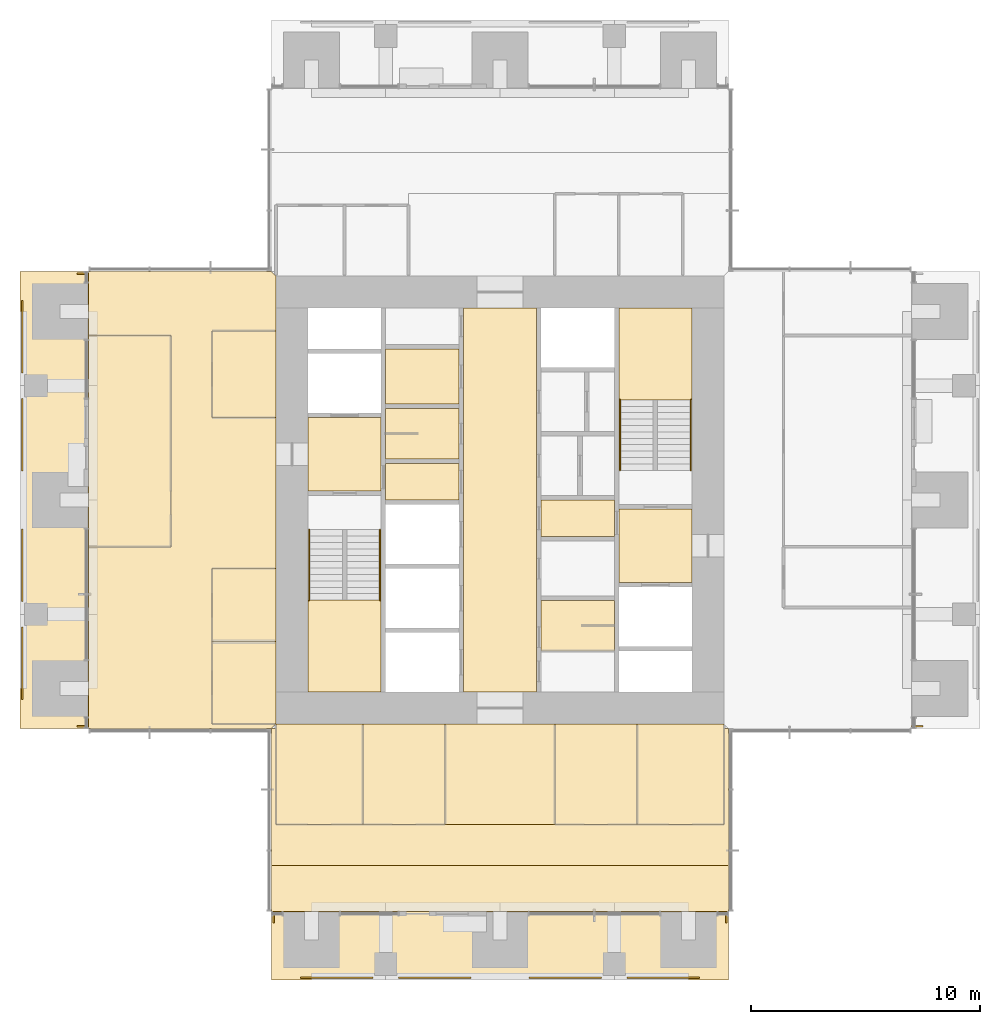
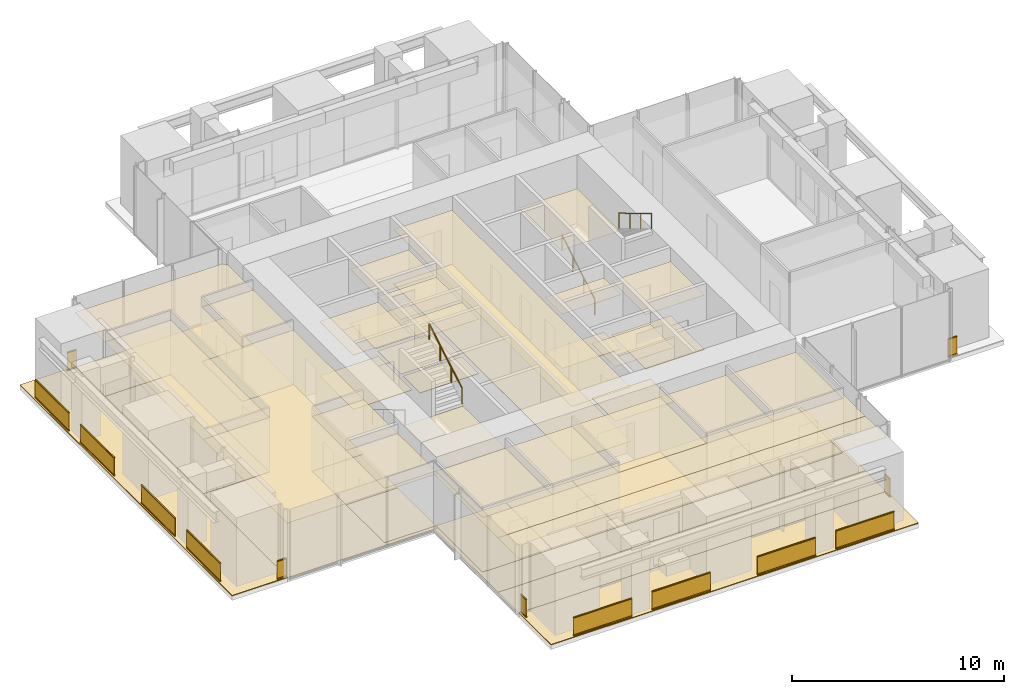
# One storey, part 15 of 17: 44 coverings, 17 railings.
"""IFC4 building model written with IfcOpenShell, lengths in metres."""

from ifc_helpers import new_model, si_unit, direction, frame, origin, origin_2d, place, context, subcontext, project, spatial, polyline, rectangle, circle, outline, extrude, material, layer, layer_set, type_object, element, save


model = new_model("IFC4")

# Units and contexts
model_context = context("Model", 3, precision=1e-05, world=origin(), true_north=direction((0.0, 1.0)))
body_context = subcontext(model_context, "Body", "Model", "MODEL_VIEW")
ifc_project = project(units=[si_unit("LENGTHUNIT", "METRE"), si_unit("AREAUNIT", "SQUARE_METRE"), si_unit("VOLUMEUNIT", "CUBIC_METRE"), si_unit("PLANEANGLEUNIT", "RADIAN"), si_unit("MASSUNIT", "GRAM", prefix="KILO")], contexts=[model_context])

# Site, building, storey
site_placement = place(None, origin())
site = spatial("IfcSite", under=ifc_project, at=site_placement, CompositionType="ELEMENT")
building_placement = place(site_placement, origin())
building = spatial("IfcBuilding", under=site, at=building_placement, Name="Svetlomir Tower", CompositionType="ELEMENT")
storey_placement = place(building_placement, frame((0.0, 0.0, 198.5)))
storey = spatial("IfcBuildingStorey", under=building, at=storey_placement, Name="L47", CompositionType="ELEMENT", Elevation=198.5)

# Railings
ifc_material_1 = material(Name="Bronze anodised aluminium and laminated glass", Category="aluminium")
railing_type_1 = type_object("IfcRailingType", Name="BALCONY GUARD GR1 1100", PredefinedType="GUARDRAIL", material=ifc_material_1)
for number, where, name in (
    (1, (12.27490234375, 0.10009765625, 0.0), "Loggia guard S L47 bay 1"),
    (2, (16.550048828125, 0.10009765625, 0.0), "Loggia guard S L47 bay 2"),
    (3, (22.27490234375, 0.10009765625, 0.0), "Loggia guard S L47 bay 3"),
    (4, (26.550048828125, 0.10009765625, 0.0), "Loggia guard S L47 bay 4"),
):
    element("IfcRailing", number, at=place(storey_placement, frame(where)), inside=storey, type_object=railing_type_1, Name=name, PredefinedType="GUARDRAIL", context=body_context, shape_type="SweptSolid", body=[
        extrude(rectangle(XDim=0.06005859375, YDim=0.10009765625, at=origin_2d()), frame((0.0, 0.0, 0.050048828125), z_axis=(1.0, 0.0, 0.0), x_axis=(0.0, 1.0, 0.0)), (0.0, 0.0, 1.0), 3.175048828125),
        extrude(rectangle(XDim=0.021484375, YDim=0.960205078125, at=origin_2d()), frame((0.0, 0.0, 0.580078125), z_axis=(1.0, 0.0, 0.0), x_axis=(0.0, 1.0, 0.0)), (0.0, 0.0, 1.0), 3.175048828125),
        extrude(rectangle(XDim=0.06005859375, YDim=0.0400390625, at=origin_2d()), frame((0.0, 0.0, 1.080078125), z_axis=(1.0, 0.0, 0.0), x_axis=(0.0, 1.0, 0.0)), (0.0, 0.0, 1.0), 3.175048828125),
    ])
for number, where, name in (
    (5, (11.10009765625, 2.5, 0.0), "Loggia guard S L47 end 1"),
    (6, (30.89990234375, 2.5, 0.0), "Loggia guard S L47 end 2"),
):
    element("IfcRailing", number, at=place(storey_placement, frame(where)), inside=storey, type_object=railing_type_1, Name=name, PredefinedType="GUARDRAIL", context=body_context, shape_type="SweptSolid", body=[
        extrude(rectangle(XDim=0.06005859375, YDim=0.10009765625, at=origin_2d()), frame((0.0, 0.0, 0.050048828125), z_axis=(0.0, 1.0, 0.0), x_axis=(-1.0, 0.0, 0.0)), (0.0, 0.0, 1.0), 0.5),
        extrude(rectangle(XDim=0.021484375, YDim=0.960205078125, at=origin_2d()), frame((0.0, 0.0, 0.580078125), z_axis=(0.0, 1.0, 0.0), x_axis=(-1.0, 0.0, 0.0)), (0.0, 0.0, 1.0), 0.5),
        extrude(rectangle(XDim=0.06005859375, YDim=0.0400390625, at=origin_2d()), frame((0.0, 0.0, 1.080078125), z_axis=(0.0, 1.0, 0.0), x_axis=(-1.0, 0.0, 0.0)), (0.0, 0.0, 1.0), 0.5),
    ])
railing_1_placement = place(storey_placement, frame((39.5, 11.10009765625, 0.0)))
element("IfcRailing", 7, at=railing_1_placement, inside=storey, type_object=railing_type_1, Name="Loggia guard E L47 end 1", PredefinedType="GUARDRAIL", context=body_context, shape_type="SweptSolid", body=[
    extrude(rectangle(XDim=0.06005859375, YDim=0.10009765625, at=origin_2d()), frame((0.0, 0.0, 0.050048828125), z_axis=(-1.0, 0.0, 0.0), x_axis=(0.0, -1.0, 0.0)), (0.0, 0.0, 1.0), 0.5),
    extrude(rectangle(XDim=0.021484375, YDim=0.960205078125, at=origin_2d()), frame((0.0, 0.0, 0.580078125), z_axis=(-1.0, 0.0, 0.0), x_axis=(0.0, -1.0, 0.0)), (0.0, 0.0, 1.0), 0.5),
    extrude(rectangle(XDim=0.06005859375, YDim=0.0400390625, at=origin_2d()), frame((0.0, 0.0, 1.080078125), z_axis=(-1.0, 0.0, 0.0), x_axis=(0.0, -1.0, 0.0)), (0.0, 0.0, 1.0), 0.5),
])
for number, where, name in (
    (8, (0.10009765625, 12.27490234375, 0.0), "Loggia guard W L47 bay 1"),
    (9, (0.10009765625, 16.550048828125, 0.0), "Loggia guard W L47 bay 2"),
    (10, (0.10009765625, 22.27490234375, 0.0), "Loggia guard W L47 bay 3"),
    (11, (0.10009765625, 26.550048828125, 0.0), "Loggia guard W L47 bay 4"),
):
    element("IfcRailing", number, at=place(storey_placement, frame(where)), inside=storey, type_object=railing_type_1, Name=name, PredefinedType="GUARDRAIL", context=body_context, shape_type="SweptSolid", body=[
        extrude(rectangle(XDim=0.06005859375, YDim=0.10009765625, at=origin_2d()), frame((0.0, 0.0, 0.050048828125), z_axis=(0.0, 1.0, 0.0), x_axis=(-1.0, 0.0, 0.0)), (0.0, 0.0, 1.0), 3.175048828125),
        extrude(rectangle(XDim=0.021484375, YDim=0.960205078125, at=origin_2d()), frame((0.0, 0.0, 0.580078125), z_axis=(0.0, 1.0, 0.0), x_axis=(-1.0, 0.0, 0.0)), (0.0, 0.0, 1.0), 3.175048828125),
        extrude(rectangle(XDim=0.06005859375, YDim=0.0400390625, at=origin_2d()), frame((0.0, 0.0, 1.080078125), z_axis=(0.0, 1.0, 0.0), x_axis=(-1.0, 0.0, 0.0)), (0.0, 0.0, 1.0), 3.175048828125),
    ])
for number, where, name in (
    (12, (2.5, 11.10009765625, 0.0), "Loggia guard W L47 end 1"),
    (13, (2.5, 30.89990234375, 0.0), "Loggia guard W L47 end 2"),
):
    element("IfcRailing", number, at=place(storey_placement, frame(where)), inside=storey, type_object=railing_type_1, Name=name, PredefinedType="GUARDRAIL", context=body_context, shape_type="SweptSolid", body=[
        extrude(rectangle(XDim=0.06005859375, YDim=0.10009765625, at=origin_2d()), frame((0.0, 0.0, 0.050048828125), z_axis=(1.0, 0.0, 0.0), x_axis=(0.0, 1.0, 0.0)), (0.0, 0.0, 1.0), 0.5),
        extrude(rectangle(XDim=0.021484375, YDim=0.960205078125, at=origin_2d()), frame((0.0, 0.0, 0.580078125), z_axis=(1.0, 0.0, 0.0), x_axis=(0.0, 1.0, 0.0)), (0.0, 0.0, 1.0), 0.5),
        extrude(rectangle(XDim=0.06005859375, YDim=0.0400390625, at=origin_2d()), frame((0.0, 0.0, 1.080078125), z_axis=(1.0, 0.0, 0.0), x_axis=(0.0, 1.0, 0.0)), (0.0, 0.0, 1.0), 0.5),
    ])

# Coverings
ifc_material_2 = material(Name="Granite paving slabs on pedestals", Category="masonry")
ifc_layer_1 = layer(ifc_material_2, 0.0400390625)
ifc_layer_set_1 = layer_set([ifc_layer_1], Name="Granite paving slabs on pedestals")
covering_type_1 = type_object("IfcCoveringType", Name="BALCONY PAVING 40", PredefinedType="USERDEFINED", material=ifc_layer_set_1)
covering_1_placement = place(storey_placement, origin())
element("IfcCovering", 14, at=covering_1_placement, inside=storey, type_object=covering_type_1, Name="Loggia paving S L47", ObjectType="BALCONY PAVING", PredefinedType="USERDEFINED", context=body_context, shape_type="SweptSolid", body=[
    extrude(outline(polyline([(11.0, 0.0), (31.0, 0.0), (31.0, 3.0), (11.0, 3.0), (11.0, 0.0)])), origin(), (0.0, 0.0, 1.0), 0.0400390625),
])
covering_2_placement = place(storey_placement, origin())
element("IfcCovering", 15, at=covering_2_placement, inside=storey, type_object=covering_type_1, Name="Loggia paving W L47", ObjectType="BALCONY PAVING", PredefinedType="USERDEFINED", context=body_context, shape_type="SweptSolid", body=[
    extrude(outline(polyline([(0.0, 11.0), (3.0, 11.0), (3.0, 31.0), (0.0, 31.0), (0.0, 11.0)])), origin(), (0.0, 0.0, 1.0), 0.0400390625),
])
ifc_material_3 = material(Name="Carpet tile", Category="textile")
ifc_layer_2 = layer(ifc_material_3, 0.010009765625)
ifc_layer_set_2 = layer_set([ifc_layer_2], Name="Carpet tile")
covering_type_2 = type_object("IfcCoveringType", Name="CARPET TILE FLOOR 10", PredefinedType="FLOORING", material=ifc_layer_set_2)
covering_3_placement = place(storey_placement, origin())
element("IfcCovering", 16, at=covering_3_placement, inside=storey, type_object=covering_type_2, Name="Floor finish L47-18", PredefinedType="FLOORING", context=body_context, shape_type="SweptSolid", body=[
    extrude(outline(polyline([(11.199951171875, 6.800048828125), (15.0, 6.800048828125), (15.0, 11.199951171875), (11.199951171875, 11.199951171875), (11.199951171875, 6.800048828125)])), origin(), (0.0, 0.0, 1.0), 0.010009765625),
])
covering_4_placement = place(storey_placement, origin())
element("IfcCovering", 17, at=covering_4_placement, inside=storey, type_object=covering_type_2, Name="Floor finish L47-19", PredefinedType="FLOORING", context=body_context, shape_type="SweptSolid", body=[
    extrude(outline(polyline([(15.0, 6.800048828125), (18.60009765625, 6.800048828125), (18.60009765625, 11.199951171875), (15.0, 11.199951171875), (15.0, 6.800048828125)])), origin(), (0.0, 0.0, 1.0), 0.010009765625),
])
covering_5_placement = place(storey_placement, origin())
element("IfcCovering", 18, at=covering_5_placement, inside=storey, type_object=covering_type_2, Name="Floor finish L47-20", PredefinedType="FLOORING", context=body_context, shape_type="SweptSolid", body=[
    extrude(outline(polyline([(23.39990234375, 6.800048828125), (27.0, 6.800048828125), (27.0, 11.199951171875), (23.39990234375, 11.199951171875), (23.39990234375, 6.800048828125)])), origin(), (0.0, 0.0, 1.0), 0.010009765625),
])
covering_6_placement = place(storey_placement, origin())
element("IfcCovering", 19, at=covering_6_placement, inside=storey, type_object=covering_type_2, Name="Floor finish L47-21", PredefinedType="FLOORING", context=body_context, shape_type="SweptSolid", body=[
    extrude(outline(polyline([(27.0, 6.800048828125), (30.800048828125, 6.800048828125), (30.800048828125, 11.199951171875), (27.0, 11.199951171875), (27.0, 6.800048828125)])), origin(), (0.0, 0.0, 1.0), 0.010009765625),
])
covering_7_placement = place(storey_placement, origin())
element("IfcCovering", 20, at=covering_7_placement, inside=storey, type_object=covering_type_2, Name="Floor finish L47-29", PredefinedType="FLOORING", context=body_context, shape_type="SweptSolid", body=[
    extrude(outline(polyline([(8.39990234375, 11.199951171875), (11.199951171875, 11.199951171875), (11.199951171875, 14.800048828125), (8.39990234375, 14.800048828125), (8.39990234375, 11.199951171875)])), origin(), (0.0, 0.0, 1.0), 0.010009765625),
])
covering_8_placement = place(storey_placement, origin())
element("IfcCovering", 21, at=covering_8_placement, inside=storey, type_object=covering_type_2, Name="Floor finish L47-30", PredefinedType="FLOORING", context=body_context, shape_type="SweptSolid", body=[
    extrude(outline(polyline([(8.39990234375, 14.800048828125), (11.199951171875, 14.800048828125), (11.199951171875, 18.0), (8.39990234375, 18.0), (8.39990234375, 14.800048828125)])), origin(), (0.0, 0.0, 1.0), 0.010009765625),
])
covering_9_placement = place(storey_placement, origin())
element("IfcCovering", 22, at=covering_9_placement, inside=storey, type_object=covering_type_2, Name="Floor finish L47-31", PredefinedType="FLOORING", context=body_context, shape_type="SweptSolid", body=[
    extrude(outline(polyline([(8.39990234375, 24.60009765625), (11.199951171875, 24.60009765625), (11.199951171875, 28.39990234375), (8.39990234375, 28.39990234375), (8.39990234375, 24.60009765625)])), origin(), (0.0, 0.0, 1.0), 0.010009765625),
])
covering_10_placement = place(storey_placement, origin())
element("IfcCovering", 23, at=covering_10_placement, inside=storey, type_object=covering_type_2, Name="Floor finish L47-32", PredefinedType="FLOORING", context=body_context, shape_type="SweptSolid", body=[
    extrude(outline(polyline([(3.0, 18.949951171875), (6.60009765625, 18.949951171875), (6.60009765625, 28.199951171875), (3.0, 28.199951171875), (3.0, 18.949951171875)])), origin(), (0.0, 0.0, 1.0), 0.010009765625),
])
covering_11_placement = place(storey_placement, origin())
element("IfcCovering", 24, at=covering_11_placement, inside=storey, type_object=covering_type_2, Name="Floor finish L47-33", PredefinedType="FLOORING", context=body_context, shape_type="SweptSolid", body=[
    extrude(outline(polyline([(11.0, 11.0), (11.199951171875, 11.0), (11.199951171875, 6.800048828125), (30.800048828125, 6.800048828125), (30.800048828125, 11.0), (31.0, 11.0), (31.0, 5.0), (11.0, 5.0), (11.0, 11.0)])), origin(), (0.0, 0.0, 1.0), 0.010009765625),
])
covering_12_placement = place(storey_placement, origin())
element("IfcCovering", 25, at=covering_12_placement, inside=storey, type_object=covering_type_2, Name="Floor finish L47-35", PredefinedType="FLOORING", context=body_context, shape_type="SweptSolid", body=[
    extrude(outline(polyline([(11.0, 3.0), (11.0, 5.0), (31.0, 5.0), (31.0, 3.0), (11.0, 3.0)])), origin(), (0.0, 0.0, 1.0), 0.010009765625),
])
covering_13_placement = place(storey_placement, origin())
element("IfcCovering", 26, at=covering_13_placement, inside=storey, type_object=covering_type_2, Name="Floor finish L47-36", PredefinedType="FLOORING", context=body_context, shape_type="SweptSolid", body=[
    extrude(outline(polyline([(23.39990234375, 6.800048828125), (18.60009765625, 6.800048828125), (18.60009765625, 11.199951171875), (23.39990234375, 11.199951171875), (23.39990234375, 6.800048828125)])), origin(), (0.0, 0.0, 1.0), 0.010009765625),
])
covering_14_placement = place(storey_placement, origin())
element("IfcCovering", 27, at=covering_14_placement, inside=storey, type_object=covering_type_2, Name="Floor finish L47-41", PredefinedType="FLOORING", context=body_context, shape_type="SweptSolid", body=[
    extrude(outline(polyline([(11.199951171875, 28.39990234375), (8.39990234375, 28.39990234375), (8.39990234375, 24.60009765625), (11.199951171875, 24.60009765625), (11.199951171875, 18.0), (8.39990234375, 18.0), (8.39990234375, 11.199951171875), (11.199951171875, 11.199951171875), (11.0, 11.0), (3.0, 11.0), (3.0, 18.949951171875), (6.60009765625, 18.949951171875), (6.60009765625, 28.199951171875), (3.0, 28.199951171875), (3.0, 31.0), (11.0, 31.0), (11.199951171875, 30.800048828125), (11.199951171875, 28.39990234375)])), origin(), (0.0, 0.0, 1.0), 0.010009765625),
])
ifc_material_4 = material(Name="Ceramic floor tile", Category="ceramic")
ifc_layer_3 = layer(ifc_material_4, 0.014892578125)
ifc_layer_set_3 = layer_set([ifc_layer_3], Name="Ceramic floor tile")
covering_type_3 = type_object("IfcCoveringType", Name="CERAMIC TILE FLOOR 15", PredefinedType="FLOORING", material=ifc_layer_set_3)
covering_15_placement = place(storey_placement, origin())
element("IfcCovering", 28, at=covering_15_placement, inside=storey, type_object=covering_type_3, Name="Floor finish L47-04", PredefinedType="FLOORING", context=body_context, shape_type="SweptSolid", body=[
    extrude(outline(polyline([(16.0, 22.800048828125), (19.199951171875, 22.800048828125), (19.199951171875, 25.0), (16.0, 25.0), (16.0, 22.800048828125)])), origin(), (0.0, 0.0, 1.0), 0.014892578125),
])
covering_16_placement = place(storey_placement, origin())
element("IfcCovering", 29, at=covering_16_placement, inside=storey, type_object=covering_type_3, Name="Floor finish L47-05", PredefinedType="FLOORING", context=body_context, shape_type="SweptSolid", body=[
    extrude(outline(polyline([(16.0, 25.199951171875), (19.199951171875, 25.199951171875), (19.199951171875, 27.60009765625), (16.0, 27.60009765625), (16.0, 25.199951171875)])), origin(), (0.0, 0.0, 1.0), 0.014892578125),
])
covering_17_placement = place(storey_placement, origin())
element("IfcCovering", 30, at=covering_17_placement, inside=storey, type_object=covering_type_3, Name="Floor finish L47-09", PredefinedType="FLOORING", context=body_context, shape_type="SweptSolid", body=[
    extrude(outline(polyline([(22.800048828125, 14.39990234375), (26.0, 14.39990234375), (26.0, 16.60009765625), (22.800048828125, 16.60009765625), (22.800048828125, 14.39990234375)])), origin(), (0.0, 0.0, 1.0), 0.014892578125),
])

# Railings
ifc_material_5 = material(Name="Stainless steel", Category="steel")
railing_type_2 = type_object("IfcRailingType", Name="HANDRAIL HR1 900", PredefinedType="HANDRAIL", material=ifc_material_5)
railing_2_placement = place(storey_placement, frame((12.64990234375, 19.699951171875, 0.166748046875)))
element("IfcRailing", 31, at=railing_2_placement, inside=storey, type_object=railing_type_2, Name="Handrail S1 flight 1 L47", PredefinedType="HANDRAIL", context=body_context, shape_type="SweptSolid", body=[
    extrude(circle(Radius=0.02392578125, at=origin_2d()), frame((0.0, 0.0, 0.8759765625), z_axis=(0.0, -0.859290745958, 0.51148745235), x_axis=(1.0, 0.0, 0.0)), (0.0, 0.0, 1.0), 3.584228515625),
    extrude(circle(Radius=0.02099609375, at=origin_2d()), origin(), (0.0, 0.0, 1.0), 0.851806640625),
    extrude(circle(Radius=0.02099609375, at=origin_2d()), frame((0.0, -1.026611328125, 0.611083984375)), (0.0, 0.0, 1.0), 0.851806640625),
    extrude(circle(Radius=0.02099609375, at=origin_2d()), frame((0.0, -2.05322265625, 1.22216796875)), (0.0, 0.0, 1.0), 0.851806640625),
    extrude(circle(Radius=0.02099609375, at=origin_2d()), frame((0.0, -3.079833984375, 1.833251953125)), (0.0, 0.0, 1.0), 0.851806640625),
])
for number, where, name in (
    (32, (15.75, 16.6201171875, 2.166748046875), "Handrail S1 flight 2 L47"),
    (33, (26.25, 22.300048828125, 0.166748046875), "Handrail S2 flight 1 L47"),
):
    element("IfcRailing", number, at=place(storey_placement, frame(where)), inside=storey, type_object=railing_type_2, Name=name, PredefinedType="HANDRAIL", context=body_context, shape_type="SweptSolid", body=[
        extrude(circle(Radius=0.02392578125, at=origin_2d()), frame((0.0, 0.0, 0.8759765625), z_axis=(0.0, 0.859290745958, 0.51148745235), x_axis=(-1.0, 0.0, 0.0)), (0.0, 0.0, 1.0), 3.584228515625),
        extrude(circle(Radius=0.02099609375, at=origin_2d()), origin(), (0.0, 0.0, 1.0), 0.851806640625),
        extrude(circle(Radius=0.02099609375, at=origin_2d()), frame((0.0, 1.026611328125, 0.611083984375)), (0.0, 0.0, 1.0), 0.851806640625),
        extrude(circle(Radius=0.02099609375, at=origin_2d()), frame((0.0, 2.05322265625, 1.22216796875)), (0.0, 0.0, 1.0), 0.851806640625),
        extrude(circle(Radius=0.02099609375, at=origin_2d()), frame((0.0, 3.079833984375, 1.833251953125)), (0.0, 0.0, 1.0), 0.851806640625),
    ])
railing_3_placement = place(storey_placement, frame((29.35009765625, 25.3798828125, 2.166748046875)))
element("IfcRailing", 34, at=railing_3_placement, inside=storey, type_object=railing_type_2, Name="Handrail S2 flight 2 L47", PredefinedType="HANDRAIL", context=body_context, shape_type="SweptSolid", body=[
    extrude(circle(Radius=0.02392578125, at=origin_2d()), frame((0.0, 0.0, 0.8759765625), z_axis=(0.0, -0.859290745958, 0.51148745235), x_axis=(1.0, 0.0, 0.0)), (0.0, 0.0, 1.0), 3.584228515625),
    extrude(circle(Radius=0.02099609375, at=origin_2d()), origin(), (0.0, 0.0, 1.0), 0.851806640625),
    extrude(circle(Radius=0.02099609375, at=origin_2d()), frame((0.0, -1.026611328125, 0.611083984375)), (0.0, 0.0, 1.0), 0.851806640625),
    extrude(circle(Radius=0.02099609375, at=origin_2d()), frame((0.0, -2.05322265625, 1.22216796875)), (0.0, 0.0, 1.0), 0.851806640625),
    extrude(circle(Radius=0.02099609375, at=origin_2d()), frame((0.0, -3.079833984375, 1.833251953125)), (0.0, 0.0, 1.0), 0.851806640625),
])

# Coverings
ifc_material_6 = material(Name="Moisture resistant plasterboard ceiling", Category="gypsum")
ifc_layer_4 = layer(ifc_material_6, 0.012451171875)
ifc_layer_set_4 = layer_set([ifc_layer_4], Name="Moisture resistant plasterboard ceiling")
covering_type_4 = type_object("IfcCoveringType", Name="MOISTURE RESISTANT CEILING 12.5", PredefinedType="CEILING", material=ifc_layer_set_4)
covering_18_placement = place(storey_placement, frame((0.0, 0.0, 3.137451171875)))
element("IfcCovering", 35, at=covering_18_placement, inside=storey, type_object=covering_type_4, Name="Ceiling L47-04", PredefinedType="CEILING", context=body_context, shape_type="SweptSolid", body=[
    extrude(outline(polyline([(16.0, 22.800048828125), (19.199951171875, 22.800048828125), (19.199951171875, 25.0), (16.0, 25.0), (16.0, 22.800048828125)])), origin(), (0.0, 0.0, 1.0), 0.012451171875),
])
covering_19_placement = place(storey_placement, frame((0.0, 0.0, 3.137451171875)))
element("IfcCovering", 36, at=covering_19_placement, inside=storey, type_object=covering_type_4, Name="Ceiling L47-05", PredefinedType="CEILING", context=body_context, shape_type="SweptSolid", body=[
    extrude(outline(polyline([(16.0, 25.199951171875), (19.199951171875, 25.199951171875), (19.199951171875, 27.60009765625), (16.0, 27.60009765625), (16.0, 25.199951171875)])), origin(), (0.0, 0.0, 1.0), 0.012451171875),
])
covering_20_placement = place(storey_placement, frame((0.0, 0.0, 3.137451171875)))
element("IfcCovering", 37, at=covering_20_placement, inside=storey, type_object=covering_type_4, Name="Ceiling L47-09", PredefinedType="CEILING", context=body_context, shape_type="SweptSolid", body=[
    extrude(outline(polyline([(22.800048828125, 14.39990234375), (26.0, 14.39990234375), (26.0, 16.60009765625), (22.800048828125, 16.60009765625), (22.800048828125, 14.39990234375)])), origin(), (0.0, 0.0, 1.0), 0.012451171875),
])
ifc_material_7 = material(Name="Gypsum plasterboard ceiling", Category="gypsum")
ifc_layer_5 = layer(ifc_material_7, 0.014892578125)
ifc_layer_set_5 = layer_set([ifc_layer_5], Name="Gypsum plasterboard ceiling")
covering_type_5 = type_object("IfcCoveringType", Name="PLASTERBOARD CEILING 15", PredefinedType="CEILING", material=ifc_layer_set_5)
covering_21_placement = place(storey_placement, frame((0.0, 0.0, 3.135009765625)))
element("IfcCovering", 38, at=covering_21_placement, inside=storey, type_object=covering_type_5, Name="Ceiling L47-02", PredefinedType="CEILING", context=body_context, shape_type="SweptSolid", body=[
    extrude(outline(polyline([(12.60009765625, 21.39990234375), (15.800048828125, 21.39990234375), (15.800048828125, 24.60009765625), (12.60009765625, 24.60009765625), (12.60009765625, 21.39990234375)])), origin(), (0.0, 0.0, 1.0), 0.014892578125),
])
covering_22_placement = place(storey_placement, frame((0.0, 0.0, 3.135009765625)))
element("IfcCovering", 39, at=covering_22_placement, inside=storey, type_object=covering_type_5, Name="Ceiling L47-03", PredefinedType="CEILING", context=body_context, shape_type="SweptSolid", body=[
    extrude(outline(polyline([(16.0, 21.0), (19.199951171875, 21.0), (19.199951171875, 22.60009765625), (16.0, 22.60009765625), (16.0, 21.0)])), origin(), (0.0, 0.0, 1.0), 0.014892578125),
])
covering_23_placement = place(storey_placement, frame((0.0, 0.0, 3.135009765625)))
element("IfcCovering", 40, at=covering_23_placement, inside=storey, type_object=covering_type_5, Name="Ceiling L47-07", PredefinedType="CEILING", context=body_context, shape_type="SweptSolid", body=[
    extrude(outline(polyline([(19.39990234375, 12.60009765625), (22.60009765625, 12.60009765625), (22.60009765625, 29.39990234375), (19.39990234375, 29.39990234375), (19.39990234375, 12.60009765625)])), origin(), (0.0, 0.0, 1.0), 0.014892578125),
])
covering_24_placement = place(storey_placement, frame((0.0, 0.0, 3.135009765625)))
element("IfcCovering", 41, at=covering_24_placement, inside=storey, type_object=covering_type_5, Name="Ceiling L47-11", PredefinedType="CEILING", context=body_context, shape_type="SweptSolid", body=[
    extrude(outline(polyline([(22.800048828125, 19.39990234375), (26.0, 19.39990234375), (26.0, 21.0), (22.800048828125, 21.0), (22.800048828125, 19.39990234375)])), origin(), (0.0, 0.0, 1.0), 0.014892578125),
])
covering_25_placement = place(storey_placement, frame((0.0, 0.0, 3.135009765625)))
element("IfcCovering", 42, at=covering_25_placement, inside=storey, type_object=covering_type_5, Name="Ceiling L47-12", PredefinedType="CEILING", context=body_context, shape_type="SweptSolid", body=[
    extrude(outline(polyline([(26.199951171875, 17.39990234375), (29.39990234375, 17.39990234375), (29.39990234375, 20.60009765625), (26.199951171875, 20.60009765625), (26.199951171875, 17.39990234375)])), origin(), (0.0, 0.0, 1.0), 0.014892578125),
])
ifc_material_8 = material(Name="Studded rubber floor finish", Category="rubber")
ifc_layer_6 = layer(ifc_material_8, 0.006103515625)
ifc_layer_set_6 = layer_set([ifc_layer_6], Name="Studded rubber floor finish")
covering_type_6 = type_object("IfcCoveringType", Name="RUBBER LANDING FINISH 6", PredefinedType="FLOORING", material=ifc_layer_set_6)
covering_26_placement = place(storey_placement, frame((0.0, 0.0, 2.0)))
element("IfcCovering", 43, at=covering_26_placement, inside=storey, type_object=covering_type_6, Name="Stair S1 landing finish L47", PredefinedType="FLOORING", context=body_context, shape_type="SweptSolid", body=[
    extrude(outline(polyline([(12.60009765625, 12.60009765625), (15.800048828125, 12.60009765625), (15.800048828125, 16.6201171875), (12.60009765625, 16.6201171875), (12.60009765625, 12.60009765625)])), origin(), (0.0, 0.0, 1.0), 0.006103515625),
])
covering_27_placement = place(storey_placement, frame((0.0, 0.0, 2.0)))
element("IfcCovering", 44, at=covering_27_placement, inside=storey, type_object=covering_type_6, Name="Stair S2 landing finish L47", PredefinedType="FLOORING", context=body_context, shape_type="SweptSolid", body=[
    extrude(outline(polyline([(26.199951171875, 25.3798828125), (29.39990234375, 25.3798828125), (29.39990234375, 29.39990234375), (26.199951171875, 29.39990234375), (26.199951171875, 25.3798828125)])), origin(), (0.0, 0.0, 1.0), 0.006103515625),
])
ifc_material_9 = material(Name="Mineral fibre ceiling tile", Category="mineral")
ifc_layer_7 = layer(ifc_material_9, 0.02001953125)
ifc_layer_set_7 = layer_set([ifc_layer_7], Name="Mineral fibre ceiling tile")
covering_type_7 = type_object("IfcCoveringType", Name="SUSPENDED CEILING 20", PredefinedType="CEILING", material=ifc_layer_set_7)
covering_28_placement = place(storey_placement, frame((0.0, 0.0, 3.1298828125)))
element("IfcCovering", 45, at=covering_28_placement, inside=storey, type_object=covering_type_7, Name="Ceiling L47-18", PredefinedType="CEILING", context=body_context, shape_type="SweptSolid", body=[
    extrude(outline(polyline([(11.199951171875, 6.800048828125), (15.0, 6.800048828125), (15.0, 11.199951171875), (11.199951171875, 11.199951171875), (11.199951171875, 6.800048828125)])), origin(), (0.0, 0.0, 1.0), 0.02001953125),
])
covering_29_placement = place(storey_placement, frame((0.0, 0.0, 3.1298828125)))
element("IfcCovering", 46, at=covering_29_placement, inside=storey, type_object=covering_type_7, Name="Ceiling L47-19", PredefinedType="CEILING", context=body_context, shape_type="SweptSolid", body=[
    extrude(outline(polyline([(15.0, 6.800048828125), (18.60009765625, 6.800048828125), (18.60009765625, 11.199951171875), (15.0, 11.199951171875), (15.0, 6.800048828125)])), origin(), (0.0, 0.0, 1.0), 0.02001953125),
])
covering_30_placement = place(storey_placement, frame((0.0, 0.0, 3.1298828125)))
element("IfcCovering", 47, at=covering_30_placement, inside=storey, type_object=covering_type_7, Name="Ceiling L47-20", PredefinedType="CEILING", context=body_context, shape_type="SweptSolid", body=[
    extrude(outline(polyline([(23.39990234375, 6.800048828125), (27.0, 6.800048828125), (27.0, 11.199951171875), (23.39990234375, 11.199951171875), (23.39990234375, 6.800048828125)])), origin(), (0.0, 0.0, 1.0), 0.02001953125),
])
covering_31_placement = place(storey_placement, frame((0.0, 0.0, 3.1298828125)))
element("IfcCovering", 48, at=covering_31_placement, inside=storey, type_object=covering_type_7, Name="Ceiling L47-21", PredefinedType="CEILING", context=body_context, shape_type="SweptSolid", body=[
    extrude(outline(polyline([(27.0, 6.800048828125), (30.800048828125, 6.800048828125), (30.800048828125, 11.199951171875), (27.0, 11.199951171875), (27.0, 6.800048828125)])), origin(), (0.0, 0.0, 1.0), 0.02001953125),
])
covering_32_placement = place(storey_placement, frame((0.0, 0.0, 3.1298828125)))
element("IfcCovering", 49, at=covering_32_placement, inside=storey, type_object=covering_type_7, Name="Ceiling L47-29", PredefinedType="CEILING", context=body_context, shape_type="SweptSolid", body=[
    extrude(outline(polyline([(8.39990234375, 11.199951171875), (11.199951171875, 11.199951171875), (11.199951171875, 14.800048828125), (8.39990234375, 14.800048828125), (8.39990234375, 11.199951171875)])), origin(), (0.0, 0.0, 1.0), 0.02001953125),
])
covering_33_placement = place(storey_placement, frame((0.0, 0.0, 3.1298828125)))
element("IfcCovering", 50, at=covering_33_placement, inside=storey, type_object=covering_type_7, Name="Ceiling L47-30", PredefinedType="CEILING", context=body_context, shape_type="SweptSolid", body=[
    extrude(outline(polyline([(8.39990234375, 14.800048828125), (11.199951171875, 14.800048828125), (11.199951171875, 18.0), (8.39990234375, 18.0), (8.39990234375, 14.800048828125)])), origin(), (0.0, 0.0, 1.0), 0.02001953125),
])
covering_34_placement = place(storey_placement, frame((0.0, 0.0, 3.1298828125)))
element("IfcCovering", 51, at=covering_34_placement, inside=storey, type_object=covering_type_7, Name="Ceiling L47-31", PredefinedType="CEILING", context=body_context, shape_type="SweptSolid", body=[
    extrude(outline(polyline([(8.39990234375, 24.60009765625), (11.199951171875, 24.60009765625), (11.199951171875, 28.39990234375), (8.39990234375, 28.39990234375), (8.39990234375, 24.60009765625)])), origin(), (0.0, 0.0, 1.0), 0.02001953125),
])
covering_35_placement = place(storey_placement, frame((0.0, 0.0, 3.1298828125)))
element("IfcCovering", 52, at=covering_35_placement, inside=storey, type_object=covering_type_7, Name="Ceiling L47-32", PredefinedType="CEILING", context=body_context, shape_type="SweptSolid", body=[
    extrude(outline(polyline([(3.0, 18.949951171875), (6.60009765625, 18.949951171875), (6.60009765625, 28.199951171875), (3.0, 28.199951171875), (3.0, 18.949951171875)])), origin(), (0.0, 0.0, 1.0), 0.02001953125),
])
covering_36_placement = place(storey_placement, frame((0.0, 0.0, 3.1298828125)))
element("IfcCovering", 53, at=covering_36_placement, inside=storey, type_object=covering_type_7, Name="Ceiling L47-33", PredefinedType="CEILING", context=body_context, shape_type="SweptSolid", body=[
    extrude(outline(polyline([(11.0, 11.0), (11.199951171875, 11.0), (11.199951171875, 6.800048828125), (30.800048828125, 6.800048828125), (30.800048828125, 11.0), (31.0, 11.0), (31.0, 5.0), (11.0, 5.0), (11.0, 11.0)])), origin(), (0.0, 0.0, 1.0), 0.02001953125),
])
covering_37_placement = place(storey_placement, frame((0.0, 0.0, 3.1298828125)))
element("IfcCovering", 54, at=covering_37_placement, inside=storey, type_object=covering_type_7, Name="Ceiling L47-35", PredefinedType="CEILING", context=body_context, shape_type="SweptSolid", body=[
    extrude(outline(polyline([(11.0, 3.0), (11.0, 5.0), (31.0, 5.0), (31.0, 3.0), (11.0, 3.0)])), origin(), (0.0, 0.0, 1.0), 0.02001953125),
])
covering_38_placement = place(storey_placement, frame((0.0, 0.0, 3.1298828125)))
element("IfcCovering", 55, at=covering_38_placement, inside=storey, type_object=covering_type_7, Name="Ceiling L47-36", PredefinedType="CEILING", context=body_context, shape_type="SweptSolid", body=[
    extrude(outline(polyline([(23.39990234375, 6.800048828125), (18.60009765625, 6.800048828125), (18.60009765625, 11.199951171875), (23.39990234375, 11.199951171875), (23.39990234375, 6.800048828125)])), origin(), (0.0, 0.0, 1.0), 0.02001953125),
])
covering_39_placement = place(storey_placement, frame((0.0, 0.0, 3.1298828125)))
element("IfcCovering", 56, at=covering_39_placement, inside=storey, type_object=covering_type_7, Name="Ceiling L47-41", PredefinedType="CEILING", context=body_context, shape_type="SweptSolid", body=[
    extrude(outline(polyline([(11.199951171875, 28.39990234375), (8.39990234375, 28.39990234375), (8.39990234375, 24.60009765625), (11.199951171875, 24.60009765625), (11.199951171875, 18.0), (8.39990234375, 18.0), (8.39990234375, 11.199951171875), (11.199951171875, 11.199951171875), (11.0, 11.0), (3.0, 11.0), (3.0, 18.949951171875), (6.60009765625, 18.949951171875), (6.60009765625, 28.199951171875), (3.0, 28.199951171875), (3.0, 31.0), (11.0, 31.0), (11.199951171875, 30.800048828125), (11.199951171875, 28.39990234375)])), origin(), (0.0, 0.0, 1.0), 0.02001953125),
])
ifc_material_10 = material(Name="Bronze-aggregate terrazzo", Category="stone")
ifc_layer_8 = layer(ifc_material_10, 0.030029296875)
ifc_layer_set_8 = layer_set([ifc_layer_8], Name="Bronze-aggregate terrazzo")
covering_type_8 = type_object("IfcCoveringType", Name="TERRAZZO FLOOR 30", PredefinedType="FLOORING", material=ifc_layer_set_8)
covering_40_placement = place(storey_placement, origin())
element("IfcCovering", 57, at=covering_40_placement, inside=storey, type_object=covering_type_8, Name="Floor finish L47-02", PredefinedType="FLOORING", context=body_context, shape_type="SweptSolid", body=[
    extrude(outline(polyline([(12.60009765625, 21.39990234375), (15.800048828125, 21.39990234375), (15.800048828125, 24.60009765625), (12.60009765625, 24.60009765625), (12.60009765625, 21.39990234375)])), origin(), (0.0, 0.0, 1.0), 0.030029296875),
])
covering_41_placement = place(storey_placement, origin())
element("IfcCovering", 58, at=covering_41_placement, inside=storey, type_object=covering_type_8, Name="Floor finish L47-03", PredefinedType="FLOORING", context=body_context, shape_type="SweptSolid", body=[
    extrude(outline(polyline([(16.0, 21.0), (19.199951171875, 21.0), (19.199951171875, 22.60009765625), (16.0, 22.60009765625), (16.0, 21.0)])), origin(), (0.0, 0.0, 1.0), 0.030029296875),
])
covering_42_placement = place(storey_placement, origin())
element("IfcCovering", 59, at=covering_42_placement, inside=storey, type_object=covering_type_8, Name="Floor finish L47-07", PredefinedType="FLOORING", context=body_context, shape_type="SweptSolid", body=[
    extrude(outline(polyline([(19.39990234375, 12.60009765625), (22.60009765625, 12.60009765625), (22.60009765625, 29.39990234375), (19.39990234375, 29.39990234375), (19.39990234375, 12.60009765625)])), origin(), (0.0, 0.0, 1.0), 0.030029296875),
])
covering_43_placement = place(storey_placement, origin())
element("IfcCovering", 60, at=covering_43_placement, inside=storey, type_object=covering_type_8, Name="Floor finish L47-11", PredefinedType="FLOORING", context=body_context, shape_type="SweptSolid", body=[
    extrude(outline(polyline([(22.800048828125, 19.39990234375), (26.0, 19.39990234375), (26.0, 21.0), (22.800048828125, 21.0), (22.800048828125, 19.39990234375)])), origin(), (0.0, 0.0, 1.0), 0.030029296875),
])
covering_44_placement = place(storey_placement, origin())
element("IfcCovering", 61, at=covering_44_placement, inside=storey, type_object=covering_type_8, Name="Floor finish L47-12", PredefinedType="FLOORING", context=body_context, shape_type="SweptSolid", body=[
    extrude(outline(polyline([(26.199951171875, 17.39990234375), (29.39990234375, 17.39990234375), (29.39990234375, 20.60009765625), (26.199951171875, 20.60009765625), (26.199951171875, 17.39990234375)])), origin(), (0.0, 0.0, 1.0), 0.030029296875),
])

save(model, "model.ifc")
